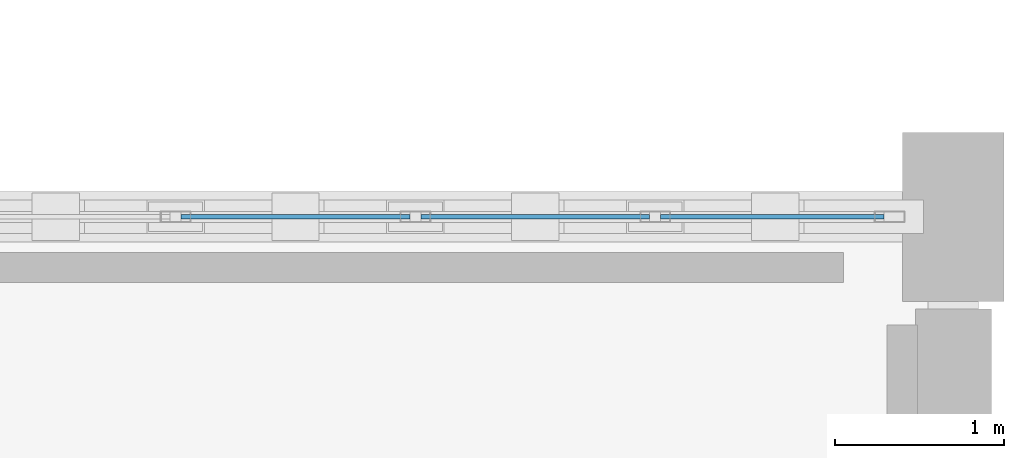
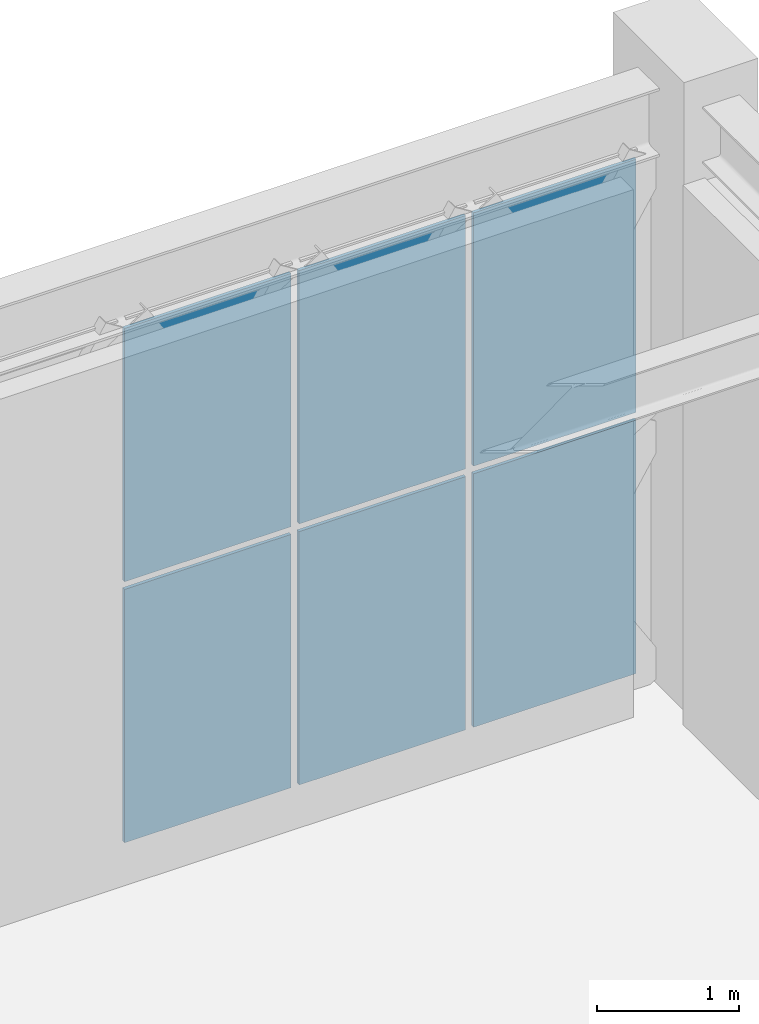
# One storey, part 138 of 166: 6 plates, 1 element without a shape of its own.
"""IFC4 building model written with IfcOpenShell, lengths in metres."""

from ifc_helpers import new_model, si_unit, direction, frame, origin, origin_2d, place, context, subcontext, project, spatial, rectangle, extrude, material, layer, layer_set, type_object, element, aggregate, save


model = new_model("IFC4")

# Units and contexts
model_context = context("Model", 3, precision=1e-05, world=origin(), true_north=direction((0.0, 1.0)))
body_context = subcontext(model_context, "Body", "Model", "MODEL_VIEW")
ifc_project = project(units=[si_unit("LENGTHUNIT", "METRE"), si_unit("AREAUNIT", "SQUARE_METRE"), si_unit("VOLUMEUNIT", "CUBIC_METRE"), si_unit("PLANEANGLEUNIT", "RADIAN"), si_unit("MASSUNIT", "GRAM", prefix="KILO")], contexts=[model_context])

# Site, building, storey
site_placement = place(None, origin())
site = spatial("IfcSite", under=ifc_project, at=site_placement, CompositionType="ELEMENT")
building_placement = place(site_placement, origin())
building = spatial("IfcBuilding", under=site, at=building_placement, Name="Haizhuo Lancet Aquarium", CompositionType="ELEMENT")
storey_placement = place(building_placement, frame((0.0, 0.0, 5.39990234375)))
storey = spatial("IfcBuildingStorey", under=building, at=storey_placement, Name="L01", CompositionType="ELEMENT", Elevation=5.39990234375)

# Curtain wall, plates
ifc_material_1 = material(Name="Aluminium 6063-T6", Category="aluminium")
curtain_wall_type = type_object("IfcCurtainWallType", Name="CWD-9940x4550", PredefinedType="NOTDEFINED", material=ifc_material_1)
curtain_wall_placement = place(storey_placement, origin())
curtain_wall = element("IfcCurtainWall", 1, at=curtain_wall_placement, inside=storey, type_object=curtain_wall_type, Name="L01 curtain wall CW-V7-L01-289", PredefinedType="NOTDEFINED")
ifc_material_2 = material(Name="Laminated Low-E Glass", Category="glass")
ifc_layer = layer(ifc_material_2, 0.028076171875)
ifc_layer_set = layer_set([ifc_layer], Name="Laminated Low-E Glass")
plate_type = type_object("IfcPlateType", Name="CW-PNL-1", PredefinedType="CURTAIN_PANEL", material=ifc_layer_set)
plate_1_placement = place(storey_placement, frame((78.60693359375, 18.0, 0.064453125), z_axis=(0.0, 0.0, 1.0), x_axis=(1.0, 0.0, 0.0)))
plate_1 = element("IfcPlate", 2, at=plate_1_placement, type_object=plate_type, Name="CWD-99x45 panel 5.1", PredefinedType="CURTAIN_PANEL", context=body_context, shape_type="SweptSolid", body=[
    extrude(rectangle(XDim=1.35400390625, YDim=0.028076171875, at=origin_2d()), origin(), (0.0, 0.0, 1.0), 2.178955078125),
])
plate_2_placement = place(storey_placement, frame((78.60693359375, 18.0, 2.30908203125), z_axis=(0.0, 0.0, 1.0), x_axis=(1.0, 0.0, 0.0)))
plate_2 = element("IfcPlate", 3, at=plate_2_placement, type_object=plate_type, Name="CWD-99x45 panel 5.2", PredefinedType="CURTAIN_PANEL", context=body_context, shape_type="SweptSolid", body=[
    extrude(rectangle(XDim=1.35400390625, YDim=0.028076171875, at=origin_2d()), origin(), (0.0, 0.0, 1.0), 2.177978515625),
])
plate_3_placement = place(storey_placement, frame((80.02587890625, 18.0, 0.064453125), z_axis=(0.0, 0.0, 1.0), x_axis=(1.0, 0.0, 0.0)))
plate_3 = element("IfcPlate", 4, at=plate_3_placement, type_object=plate_type, Name="CWD-99x45 panel 6.1", PredefinedType="CURTAIN_PANEL", context=body_context, shape_type="SweptSolid", body=[
    extrude(rectangle(XDim=1.35400390625, YDim=0.028076171875, at=origin_2d()), origin(), (0.0, 0.0, 1.0), 2.178955078125),
])
plate_4_placement = place(storey_placement, frame((80.02587890625, 18.0, 2.30908203125), z_axis=(0.0, 0.0, 1.0), x_axis=(1.0, 0.0, 0.0)))
plate_4 = element("IfcPlate", 5, at=plate_4_placement, type_object=plate_type, Name="CWD-99x45 panel 6.2", PredefinedType="CURTAIN_PANEL", context=body_context, shape_type="SweptSolid", body=[
    extrude(rectangle(XDim=1.35400390625, YDim=0.028076171875, at=origin_2d()), origin(), (0.0, 0.0, 1.0), 2.177978515625),
])
plate_5_placement = place(storey_placement, frame((81.428955078125, 18.0, 0.064453125), z_axis=(0.0, 0.0, 1.0), x_axis=(1.0, 0.0, 0.0)))
plate_5 = element("IfcPlate", 6, at=plate_5_placement, type_object=plate_type, Name="CWD-99x45 panel 7.1", PredefinedType="CURTAIN_PANEL", context=body_context, shape_type="SweptSolid", body=[
    extrude(rectangle(XDim=1.322021484375, YDim=0.028076171875, at=origin_2d()), origin(), (0.0, 0.0, 1.0), 2.178955078125),
])
plate_6_placement = place(storey_placement, frame((81.428955078125, 18.0, 2.30908203125), z_axis=(0.0, 0.0, 1.0), x_axis=(1.0, 0.0, 0.0)))
plate_6 = element("IfcPlate", 7, at=plate_6_placement, type_object=plate_type, Name="CWD-99x45 panel 7.2", PredefinedType="CURTAIN_PANEL", context=body_context, shape_type="SweptSolid", body=[
    extrude(rectangle(XDim=1.322021484375, YDim=0.028076171875, at=origin_2d()), origin(), (0.0, 0.0, 1.0), 2.177978515625),
])
aggregate(curtain_wall, [plate_1, plate_2, plate_3, plate_4, plate_5, plate_6])

save(model, "model.ifc")
